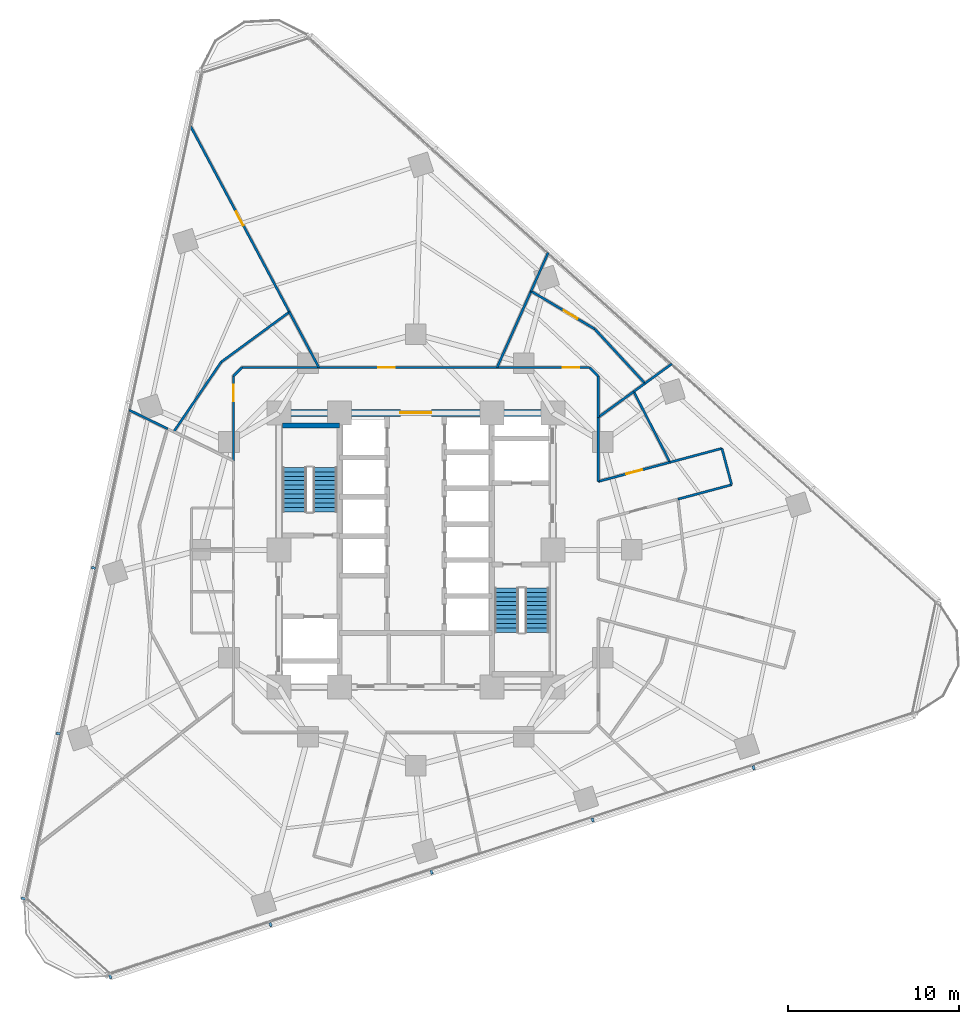
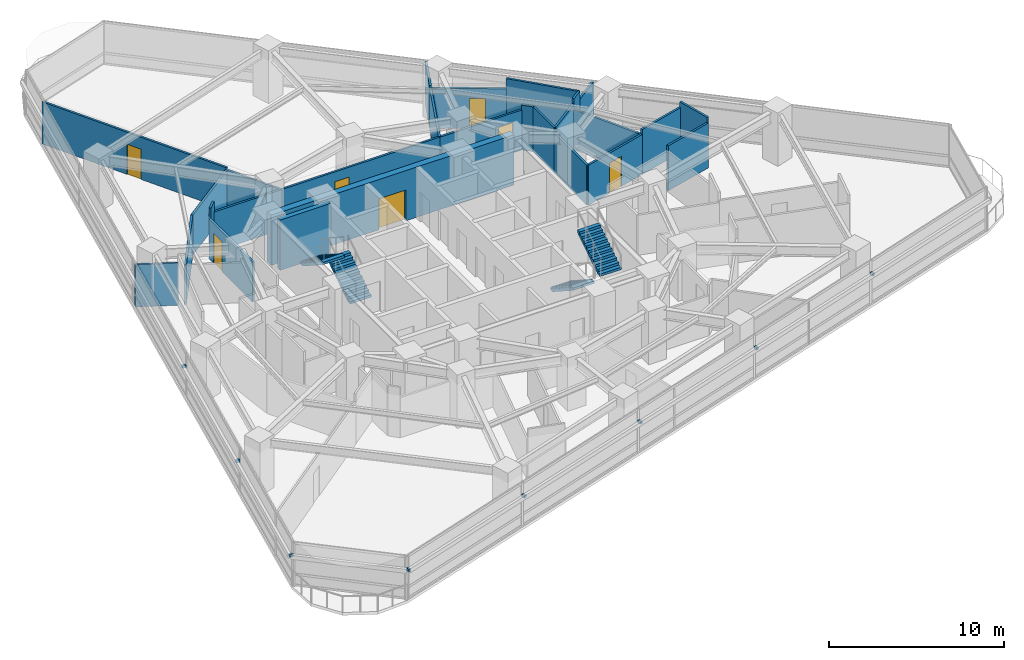
# One storey, part 9 of 13: 27 walls, 8 discrete accessories, 7 doors, 4 stair flights, 7 openings, 2 elements without a shape of their own.
"""IFC4 building model written with IfcOpenShell, lengths in metres."""

from ifc_helpers import new_model, si_unit, direction, frame, frame_2d, origin, origin_2d, place, context, subcontext, project, spatial, polyline, rectangle, outline, extrude, material, layer, layer_set, type_object, element, fill, aggregate, save


model = new_model("IFC4")

# Units and contexts
model_context = context("Model", 3, precision=1e-05, world=origin(), true_north=direction((0.0, 1.0)))
body_context = subcontext(model_context, "Body", "Model", "MODEL_VIEW")
ifc_project = project(units=[si_unit("LENGTHUNIT", "METRE"), si_unit("AREAUNIT", "SQUARE_METRE"), si_unit("VOLUMEUNIT", "CUBIC_METRE"), si_unit("PLANEANGLEUNIT", "RADIAN"), si_unit("MASSUNIT", "GRAM", prefix="KILO")], contexts=[model_context])

# Site, building, storey
site_placement = place(None, origin())
site = spatial("IfcSite", under=ifc_project, at=site_placement, CompositionType="ELEMENT")
building_placement = place(site_placement, origin())
building = spatial("IfcBuilding", under=site, at=building_placement, Name="Terralouvre Media Tower", CompositionType="ELEMENT")
storey_placement = place(building_placement, frame((0.0, 0.0, 105.10009765625)))
storey = spatial("IfcBuildingStorey", under=building, at=storey_placement, Name="L26", CompositionType="ELEMENT", Elevation=105.10009765625)

# Wall
ifc_material_1 = material(Name="Concrete C50/60", Category="concrete")
ifc_layer_1 = layer(ifc_material_1, 0.300048828125, Name="Core Internal Shaft Wall CW-300")
ifc_layer_set_1 = layer_set([ifc_layer_1], Name="Concrete C50/60")
wall_type_1 = type_object("IfcWallType", Name="Core Internal Shaft Wall CW-300", PredefinedType="SHEAR", material=ifc_layer_set_1)
wall_1_placement = place(storey_placement, frame((-7.7900390625, 7.260009765625, 0.0), z_axis=(0.0, 0.0, 1.0), x_axis=(1.0, 0.0, 0.0)))
element("IfcWall", 1, at=wall_1_placement, inside=storey, type_object=wall_type_1, Name="L26 Core Shaft Wall ST1F", PredefinedType="SHEAR", context=body_context, shape_type="SweptSolid", body=[
    extrude(rectangle(XDim=3.340087890625, YDim=0.300048828125, at=frame_2d((1.669921875, 0.0))), origin(), (0.0, 0.0, 1.0), 3.5),
])

# Wall, opening, door
ifc_material_2 = material(Name="Concrete C60/75", Category="concrete")
ifc_layer_2 = layer(ifc_material_2, 0.419921875, Name="Core Reinforced Concrete Shear Wall CW-420")
ifc_layer_set_2 = layer_set([ifc_layer_2], Name="Concrete C60/75")
wall_type_2 = type_object("IfcWallType", Name="Core Reinforced Concrete Shear Wall CW-420", PredefinedType="SHEAR", material=ifc_layer_set_2)
wall_2_placement = place(storey_placement, frame((-8.0, 8.0, 0.0), z_axis=(0.0, 0.0, 1.0), x_axis=(1.0, 0.0, 0.0)))
wall_2 = element("IfcWall", 2, at=wall_2_placement, inside=storey, type_object=wall_type_2, Name="L26 N Core Shear Wall", PredefinedType="SHEAR", context=body_context, shape_type="SweptSolid", body=[
    extrude(rectangle(XDim=16.0, YDim=0.419921875, at=frame_2d((8.0, 0.0))), origin(), (0.0, 0.0, 1.0), 3.5),
])
opening_1_placement = place(wall_2_placement, frame((7.10009765625, 0.0, 0.0)))
opening_1 = element("IfcOpeningElement", 3, at=opening_1_placement, cuts=wall_2, Name="Opening FD-03", PredefinedType="OPENING", context=body_context, shape_type="SweptSolid", body=[
    extrude(rectangle(XDim=1.800048828125, YDim=2.14990234375, at=frame_2d((0.89990234375, 1.074951171875))), frame((0.0, 0.219970703125, 0.0), z_axis=(0.0, -1.0, 0.0), x_axis=(1.0, 0.0, 0.0)), (0.0, 0.0, 1.0), 0.43994140625),
])
ifc_material_3 = material(Name="Galvanised steel fire-resisting leaf", Category="steel")
door_type_1 = type_object("IfcDoorType", Name="Corridor Smoke-Control Double Door FD-03", OperationType="DOUBLE_DOOR_SINGLE_SWING", PredefinedType="DOOR", material=ifc_material_3)
door_1_placement = place(opening_1_placement, origin())
door_1 = element("IfcDoor", 4, at=door_1_placement, inside=storey, type_object=door_type_1, Name="L26 Central Lift Lobby Portal Door", OperationType="DOUBLE_DOOR_SINGLE_SWING", OverallHeight=2.14990234375, OverallWidth=1.800048828125, PredefinedType="DOOR", context=body_context, shape_type="SweptSolid", body=[
    extrude(rectangle(XDim=1.800048828125, YDim=2.14990234375, at=frame_2d((0.89990234375, 1.074951171875))), frame((0.0, 0.02490234375, 0.0), z_axis=(0.0, -1.0, 0.0), x_axis=(1.0, 0.0, 0.0)), (0.0, 0.0, 1.0), 0.050048828125),
])
fill(opening_1, door_1)

# Walls
ifc_material_4 = material(Name="Fire-rated gypsum board drywall partition")
ifc_layer_3 = layer(ifc_material_4, 0.135009765625, Name="Newsroom Acoustic Partition PT-135")
ifc_layer_set_3 = layer_set([ifc_layer_3], Name="Fire-rated gypsum board drywall partition")
wall_type_3 = type_object("IfcWallType", Name="Newsroom Acoustic Partition PT-135", PredefinedType="PARTITIONING", material=ifc_layer_set_3)
wall_3_placement = place(storey_placement, frame((15.306884765625, 2.962890625, 0.0), z_axis=(0.0, 0.0, 1.0), x_axis=(0.965966165677, 0.258668449501, 0.0)))
element("IfcWall", 5, at=wall_3_placement, inside=storey, type_object=wall_type_3, Name="L26 Interior Partition 011", PredefinedType="PARTITIONING", context=body_context, shape_type="SweptSolid", body=[
    extrude(rectangle(XDim=3.247802734375, YDim=0.135009765625, at=frame_2d((1.6240234375, 0.0))), origin(), (0.0, 0.0, 1.0), 3.125),
])
wall_4_placement = place(storey_placement, frame((18.444091796875, 3.802978515625, 0.0), z_axis=(0.0, 0.0, 1.0), x_axis=(-0.258691706618, 0.965959937537, 0.0)))
element("IfcWall", 6, at=wall_4_placement, inside=storey, type_object=wall_type_3, Name="L26 Interior Partition 012", PredefinedType="PARTITIONING", context=body_context, shape_type="SweptSolid", body=[
    extrude(rectangle(XDim=2.199951171875, YDim=0.135009765625, at=frame_2d((1.10009765625, 0.0))), origin(), (0.0, 0.0, 1.0), 3.5),
])
wall_5_placement = place(storey_placement, frame((17.875, 5.927978515625, 0.0), z_axis=(0.0, 0.0, 1.0), x_axis=(-0.96597893007, -0.258620777704, 0.0)))
element("IfcWall", 7, at=wall_5_placement, inside=storey, type_object=wall_type_3, Name="L26 Interior Partition 013", PredefinedType="PARTITIONING", context=body_context, shape_type="SweptSolid", body=[
    extrude(rectangle(XDim=3.139892578125, YDim=0.135009765625, at=frame_2d((1.56982421875, 0.0))), origin(), (0.0, 0.0, 1.0), 3.125),
])

# Wall, opening, door
wall_6_placement = place(storey_placement, frame((14.842041015625, 5.115966796875, 0.0), z_axis=(0.0, 0.0, 1.0), x_axis=(-0.965883000332, -0.258978820891, 0.0)))
wall_6 = element("IfcWall", 8, at=wall_6_placement, inside=storey, type_object=wall_type_3, Name="L26 Interior Partition 019", PredefinedType="PARTITIONING", context=body_context, shape_type="SweptSolid", body=[
    extrude(rectangle(XDim=4.34033203125, YDim=0.135009765625, at=frame_2d((2.170166015625, 0.0))), origin(), (0.0, 0.0, 1.0), 2.784912109375),
])
opening_2_placement = place(wall_6_placement, frame((1.695068359375, 0.0, 0.0)))
opening_2 = element("IfcOpeningElement", 9, at=opening_2_placement, cuts=wall_6, Name="Opening ID-02-95X210", PredefinedType="OPENING", context=body_context, shape_type="SweptSolid", body=[
    extrude(rectangle(XDim=0.949951171875, YDim=2.10009765625, at=frame_2d((0.47509765625, 1.050048828125))), frame((0.0, 0.077392578125, 0.0), z_axis=(0.0, -1.0, 0.0), x_axis=(1.0, 0.0, 0.0)), (0.0, 0.0, 1.0), 0.155029296875),
])
ifc_material_5 = material(Name="Engineered hardwood acoustic timber leaf", Category="wood")
door_type_2 = type_object("IfcDoorType", Name="Office and Meeting Room Door ID-02 (950x2100)", OperationType="NOTDEFINED", PredefinedType="DOOR", material=ifc_material_5)
door_2_placement = place(opening_2_placement, origin())
door_2 = element("IfcDoor", 10, at=door_2_placement, inside=storey, type_object=door_type_2, Name="L26 Wellness Club Reception 5 Door", OperationType="SINGLE_SWING_RIGHT", OverallHeight=2.10009765625, OverallWidth=0.949951171875, PredefinedType="DOOR", context=body_context, shape_type="SweptSolid", body=[
    extrude(rectangle(XDim=0.949951171875, YDim=2.10009765625, at=frame_2d((0.47509765625, 1.050048828125))), frame((0.0, 0.02490234375, 0.0), z_axis=(0.0, -1.0, 0.0), x_axis=(1.0, 0.0, 0.0)), (0.0, 0.0, 1.0), 0.050048828125),
])
fill(opening_2, door_2)

# Walls
wall_7_placement = place(storey_placement, frame((10.64990234375, 3.991943359375, 0.0), z_axis=(0.0, 0.0, 1.0), x_axis=(0.0, 1.0, 0.0)))
element("IfcWall", 11, at=wall_7_placement, inside=storey, type_object=wall_type_3, Name="L26 Interior Partition 020", PredefinedType="PARTITIONING", context=body_context, shape_type="SweptSolid", body=[
    extrude(rectangle(XDim=3.74609375, YDim=0.135009765625, at=frame_2d((1.873046875, 0.0))), origin(), (0.0, 0.0, 1.0), 2.784912109375),
])
wall_8_placement = place(storey_placement, frame((10.64990234375, 7.738037109375, 0.0), z_axis=(0.0, 0.0, 1.0), x_axis=(0.0, 1.0, 0.0)))
element("IfcWall", 12, at=wall_8_placement, inside=storey, type_object=wall_type_3, Name="L26 Interior Partition 027", PredefinedType="PARTITIONING", context=body_context, shape_type="SweptSolid", body=[
    extrude(rectangle(XDim=2.411865234375, YDim=0.135009765625, at=frame_2d((1.2060546875, 0.0))), origin(), (0.0, 0.0, 1.0), 3.125),
])
wall_9_placement = place(storey_placement, frame((10.64990234375, 10.14990234375, 0.0), z_axis=(0.0, 0.0, 1.0), x_axis=(-0.707106781187, 0.707106781187, 0.0)))
element("IfcWall", 13, at=wall_9_placement, inside=storey, type_object=wall_type_3, Name="L26 Interior Partition 028", PredefinedType="PARTITIONING", context=body_context, shape_type="SweptSolid", body=[
    extrude(rectangle(XDim=0.70703125, YDim=0.135009765625, at=frame_2d((0.353515625, 0.0))), origin(), (0.0, 0.0, 1.0), 3.125),
])

# Wall, opening, door
wall_10_placement = place(storey_placement, frame((10.14990234375, 10.64990234375, 0.0), z_axis=(0.0, 0.0, 1.0), x_axis=(-1.0, 0.0, 0.0)))
wall_10 = element("IfcWall", 14, at=wall_10_placement, inside=storey, type_object=wall_type_3, Name="L26 Interior Partition 029", PredefinedType="PARTITIONING", context=body_context, shape_type="SweptSolid", body=[
    extrude(rectangle(XDim=5.407958984375, YDim=0.135009765625, at=frame_2d((2.7041015625, 0.0))), origin(), (0.0, 0.0, 1.0), 2.784912109375),
])
opening_3_placement = place(wall_10_placement, frame((0.606689453125, 0.0, 0.0)))
opening_3 = element("IfcOpeningElement", 15, at=opening_3_placement, cuts=wall_10, Name="Opening ID-02-95X210", PredefinedType="OPENING", context=body_context, shape_type="SweptSolid", body=[
    extrude(rectangle(XDim=0.949951171875, YDim=2.10009765625, at=frame_2d((0.47509765625, 1.050048828125))), frame((0.0, 0.077392578125, 0.0), z_axis=(0.0, -1.0, 0.0), x_axis=(1.0, 0.0, 0.0)), (0.0, 0.0, 1.0), 0.155029296875),
])
door_3_placement = place(opening_3_placement, origin())
door_3 = element("IfcDoor", 16, at=door_3_placement, inside=storey, type_object=door_type_2, Name="L26 Staff Wellness Fitness Gym 10 Door", OperationType="SINGLE_SWING_RIGHT", OverallHeight=2.10009765625, OverallWidth=0.949951171875, PredefinedType="DOOR", context=body_context, shape_type="SweptSolid", body=[
    extrude(rectangle(XDim=0.949951171875, YDim=2.10009765625, at=frame_2d((0.47509765625, 1.050048828125))), frame((0.0, 0.02490234375, 0.0), z_axis=(0.0, -1.0, 0.0), x_axis=(1.0, 0.0, 0.0)), (0.0, 0.0, 1.0), 0.050048828125),
])
fill(opening_3, door_3)

wall_11_placement = place(storey_placement, frame((4.741943359375, 10.64990234375, 0.0), z_axis=(0.0, 0.0, 1.0), x_axis=(-1.0, 0.0, 0.0)))
wall_11 = element("IfcWall", 17, at=wall_11_placement, inside=storey, type_object=wall_type_3, Name="L26 Interior Partition 030", PredefinedType="PARTITIONING", context=body_context, shape_type="SweptSolid", body=[
    extrude(rectangle(XDim=10.405029296875, YDim=0.135009765625, at=frame_2d((5.20263671875, 0.0))), origin(), (0.0, 0.0, 1.0), 2.784912109375),
])
opening_4_placement = place(wall_11_placement, frame((5.97607421875, 0.0, 0.0)))
opening_4 = element("IfcOpeningElement", 18, at=opening_4_placement, cuts=wall_11, Name="Opening ID-02-95X210", PredefinedType="OPENING", context=body_context, shape_type="SweptSolid", body=[
    extrude(rectangle(XDim=0.949951171875, YDim=2.10009765625, at=frame_2d((0.47509765625, 1.050048828125))), frame((0.0, 0.077392578125, 0.0), z_axis=(0.0, -1.0, 0.0), x_axis=(1.0, 0.0, 0.0)), (0.0, 0.0, 1.0), 0.155029296875),
])
door_4_placement = place(opening_4_placement, origin())
door_4 = element("IfcDoor", 19, at=door_4_placement, inside=storey, type_object=door_type_2, Name="L26 Mindfulness Recreation Club 11 Door", OperationType="SINGLE_SWING_LEFT", OverallHeight=2.10009765625, OverallWidth=0.949951171875, PredefinedType="DOOR", context=body_context, shape_type="SweptSolid", body=[
    extrude(rectangle(XDim=0.949951171875, YDim=2.10009765625, at=frame_2d((0.47509765625, 1.050048828125))), frame((0.0, 0.02490234375, 0.0), z_axis=(0.0, -1.0, 0.0), x_axis=(1.0, 0.0, 0.0)), (0.0, 0.0, 1.0), 0.050048828125),
])
fill(opening_4, door_4)

# Walls
wall_12_placement = place(storey_placement, frame((-5.6630859375, 10.64990234375, 0.0), z_axis=(0.0, 0.0, 1.0), x_axis=(-1.0, 0.0, 0.0)))
element("IfcWall", 20, at=wall_12_placement, inside=storey, type_object=wall_type_3, Name="L26 Interior Partition 031", PredefinedType="PARTITIONING", context=body_context, shape_type="SweptSolid", body=[
    extrude(rectangle(XDim=4.48681640625, YDim=0.135009765625, at=frame_2d((2.243408203125, 0.0))), origin(), (0.0, 0.0, 1.0), 2.784912109375),
])
wall_13_placement = place(storey_placement, frame((-10.14990234375, 10.64990234375, 0.0), z_axis=(0.0, 0.0, 1.0), x_axis=(-0.707106781187, -0.707106781187, 0.0)))
element("IfcWall", 21, at=wall_13_placement, inside=storey, type_object=wall_type_3, Name="L26 Interior Partition 032", PredefinedType="PARTITIONING", context=body_context, shape_type="SweptSolid", body=[
    extrude(rectangle(XDim=0.70703125, YDim=0.135009765625, at=frame_2d((0.353515625, 0.0))), origin(), (0.0, 0.0, 1.0), 3.5),
])

# Wall, opening, door
wall_14_placement = place(storey_placement, frame((-10.64990234375, 10.14990234375, 0.0), z_axis=(0.0, 0.0, 1.0), x_axis=(0.0, -1.0, 0.0)))
wall_14 = element("IfcWall", 22, at=wall_14_placement, inside=storey, type_object=wall_type_3, Name="L26 Interior Partition 033", PredefinedType="PARTITIONING", context=body_context, shape_type="SweptSolid", body=[
    extrude(rectangle(XDim=4.955810546875, YDim=0.135009765625, at=frame_2d((2.47802734375, 0.0))), origin(), (0.0, 0.0, 1.0), 2.784912109375),
])
opening_5_placement = place(wall_14_placement, frame((0.51611328125, 0.0, 0.0)))
opening_5 = element("IfcOpeningElement", 23, at=opening_5_placement, cuts=wall_14, Name="Opening ID-02-95X210", PredefinedType="OPENING", context=body_context, shape_type="SweptSolid", body=[
    extrude(rectangle(XDim=0.949951171875, YDim=2.10009765625, at=frame_2d((0.47509765625, 1.050048828125))), frame((0.0, 0.077392578125, 0.0), z_axis=(0.0, -1.0, 0.0), x_axis=(1.0, 0.0, 0.0)), (0.0, 0.0, 1.0), 0.155029296875),
])
door_5_placement = place(opening_5_placement, origin())
door_5 = element("IfcDoor", 24, at=door_5_placement, inside=storey, type_object=door_type_2, Name="L26 Terrace View Hospitality Lounge 13 Door", OperationType="SINGLE_SWING_RIGHT", OverallHeight=2.10009765625, OverallWidth=0.949951171875, PredefinedType="DOOR", context=body_context, shape_type="SweptSolid", body=[
    extrude(rectangle(XDim=0.949951171875, YDim=2.10009765625, at=frame_2d((0.47509765625, 1.050048828125))), frame((0.0, 0.02490234375, 0.0), z_axis=(0.0, -1.0, 0.0), x_axis=(1.0, 0.0, 0.0)), (0.0, 0.0, 1.0), 0.050048828125),
])
fill(opening_5, door_5)

# Walls
wall_15_placement = place(storey_placement, frame((12.72607421875, 9.24609375, 0.0), z_axis=(0.0, 0.0, 1.0), x_axis=(0.455967351564, -0.889996502413, 0.0)))
element("IfcWall", 25, at=wall_15_placement, inside=storey, type_object=wall_type_3, Name="L26 Interior Partition 042", PredefinedType="PARTITIONING", context=body_context, shape_type="SweptSolid", body=[
    extrude(rectangle(XDim=4.640625, YDim=0.135009765625, at=frame_2d((2.3203125, 0.0))), origin(), (0.0, 0.0, 1.0), 2.784912109375),
])
wall_16_placement = place(storey_placement, frame((14.947021484375, 10.860107421875, 0.0), z_axis=(0.0, 0.0, 1.0), x_axis=(-0.809090948161, -0.58768345017, 0.0)))
element("IfcWall", 26, at=wall_16_placement, inside=storey, type_object=wall_type_3, Name="L26 Interior Partition 044", PredefinedType="PARTITIONING", context=body_context, shape_type="SweptSolid", body=[
    extrude(rectangle(XDim=1.93310546875, YDim=0.135009765625, at=frame_2d((0.966552734375, 0.0))), origin(), (0.0, 0.0, 1.0), 2.934814453125),
])
wall_17_placement = place(storey_placement, frame((13.383056640625, 9.72412109375, 0.0), z_axis=(0.0, 0.0, 1.0), x_axis=(-0.808606124949, -0.588350350297, 0.0)))
element("IfcWall", 27, at=wall_17_placement, inside=storey, type_object=wall_type_3, Name="L26 Interior Partition 045", PredefinedType="PARTITIONING", context=body_context, shape_type="SweptSolid", body=[
    extrude(rectangle(XDim=0.8125, YDim=0.135009765625, at=frame_2d((0.40625, 0.0))), origin(), (0.0, 0.0, 1.0), 3.5),
])
wall_18_placement = place(storey_placement, frame((12.72607421875, 9.24609375, 0.0), z_axis=(0.0, 0.0, 1.0), x_axis=(-0.80908565166, -0.587690742039, 0.0)))
element("IfcWall", 28, at=wall_18_placement, inside=storey, type_object=wall_type_3, Name="L26 Interior Partition 047", PredefinedType="PARTITIONING", context=body_context, shape_type="SweptSolid", body=[
    extrude(rectangle(XDim=2.566162109375, YDim=0.135009765625, at=frame_2d((1.283203125, 0.0))), origin(), (0.0, 0.0, 1.0), 3.125),
])
wall_19_placement = place(storey_placement, frame((-14.490966796875, 7.068115234375, 0.0), z_axis=(0.0, 0.0, 1.0), x_axis=(-0.898774071038, 0.438412099777, 0.0)))
element("IfcWall", 29, at=wall_19_placement, inside=storey, type_object=wall_type_3, Name="L26 Interior Partition 060", PredefinedType="PARTITIONING", context=body_context, shape_type="SweptSolid", body=[
    extrude(rectangle(XDim=2.502685546875, YDim=0.135009765625, at=frame_2d((1.25146484375, 0.0))), origin(), (0.0, 0.0, 1.0), 2.934814453125),
])

# Wall, opening, door
wall_20_placement = place(storey_placement, frame((6.72900390625, 15.113037109375, 0.0), z_axis=(0.0, 0.0, 1.0), x_axis=(0.859389125663, -0.511322139841, 0.0)))
wall_20 = element("IfcWall", 30, at=wall_20_placement, inside=storey, type_object=wall_type_3, Name="L26 Interior Partition 061", PredefinedType="PARTITIONING", context=body_context, shape_type="SweptSolid", body=[
    extrude(rectangle(XDim=4.326416015625, YDim=0.135009765625, at=frame_2d((2.1630859375, 0.0))), origin(), (0.0, 0.0, 1.0), 2.784912109375),
])
opening_6_placement = place(wall_20_placement, frame((2.222412109375, 0.0, 0.0)))
opening_6 = element("IfcOpeningElement", 31, at=opening_6_placement, cuts=wall_20, Name="Opening ID-03-92X210", PredefinedType="OPENING", context=body_context, shape_type="SweptSolid", body=[
    extrude(rectangle(XDim=0.919921875, YDim=2.10009765625, at=frame_2d((0.4599609375, 1.050048828125))), frame((0.0, 0.077392578125, 0.0), z_axis=(0.0, -1.0, 0.0), x_axis=(1.0, 0.0, 0.0)), (0.0, 0.0, 1.0), 0.155029296875),
])
ifc_material_6 = material(Name="Engineered hardwood acoustic timber leaf", Category="wood")
door_type_3 = type_object("IfcDoorType", Name="Accessible Restroom and Suite Door ID-03 (920x2100)", OperationType="NOTDEFINED", PredefinedType="DOOR", material=ifc_material_6)
door_6_placement = place(opening_6_placement, origin())
door_6 = element("IfcDoor", 32, at=door_6_placement, inside=storey, type_object=door_type_3, Name="L26 Medical Journalism Research Office 9 Door", OperationType="SINGLE_SWING_RIGHT", OverallHeight=2.10009765625, OverallWidth=0.919921875, PredefinedType="DOOR", context=body_context, shape_type="SweptSolid", body=[
    extrude(rectangle(XDim=0.919921875, YDim=2.10009765625, at=frame_2d((0.4599609375, 1.050048828125))), frame((0.0, 0.02490234375, 0.0), z_axis=(0.0, -1.0, 0.0), x_axis=(1.0, 0.0, 0.0)), (0.0, 0.0, 1.0), 0.050048828125),
])
fill(opening_6, door_6)

# Walls
wall_21_placement = place(storey_placement, frame((10.447021484375, 12.90087890625, 0.0), z_axis=(0.0, 0.0, 1.0), x_axis=(0.678734730072, -0.734383527997, 0.0)))
element("IfcWall", 33, at=wall_21_placement, inside=storey, type_object=wall_type_3, Name="L26 Interior Partition 062", PredefinedType="PARTITIONING", context=body_context, shape_type="SweptSolid", body=[
    extrude(rectangle(XDim=4.32568359375, YDim=0.135009765625, at=frame_2d((2.162841796875, 0.0))), origin(), (0.0, 0.0, 1.0), 3.5),
])
wall_22_placement = place(storey_placement, frame((7.72900390625, 17.359130859375, 0.0), z_axis=(0.0, 0.0, 1.0), x_axis=(-0.406728032322, -0.913549291349, 0.0)))
element("IfcWall", 34, at=wall_22_placement, inside=storey, type_object=wall_type_3, Name="L26 Interior Partition 063", PredefinedType="PARTITIONING", context=body_context, shape_type="SweptSolid", body=[
    extrude(rectangle(XDim=2.458740234375, YDim=0.135009765625, at=frame_2d((1.2294921875, 0.0))), origin(), (0.0, 0.0, 1.0), 2.934814453125),
])
wall_23_placement = place(storey_placement, frame((6.72900390625, 15.113037109375, 0.0), z_axis=(0.0, 0.0, 1.0), x_axis=(-0.406727234472, -0.913549646565, 0.0)))
element("IfcWall", 35, at=wall_23_placement, inside=storey, type_object=wall_type_3, Name="L26 Interior Partition 064", PredefinedType="PARTITIONING", context=body_context, shape_type="SweptSolid", body=[
    extrude(rectangle(XDim=4.885498046875, YDim=0.135009765625, at=frame_2d((2.44287109375, 0.0))), origin(), (0.0, 0.0, 1.0), 2.784912109375),
])

# Wall, opening, door
wall_24_placement = place(storey_placement, frame((-13.19921875, 24.82421875, 0.0), z_axis=(0.0, 0.0, 1.0), x_axis=(0.46947528178, -0.882945615425, 0.0)))
wall_24 = element("IfcWall", 36, at=wall_24_placement, inside=storey, type_object=wall_type_3, Name="L26 Interior Partition 065", PredefinedType="PARTITIONING", context=body_context, shape_type="SweptSolid", body=[
    extrude(rectangle(XDim=12.38037109375, YDim=0.135009765625, at=frame_2d((6.190185546875, 0.0))), origin(), (0.0, 0.0, 1.0), 2.934814453125),
])
opening_7_placement = place(wall_24_placement, frame((5.72998046875, 0.0, 0.0)))
opening_7 = element("IfcOpeningElement", 37, at=opening_7_placement, cuts=wall_24, Name="Opening ID-03-92X210", PredefinedType="OPENING", context=body_context, shape_type="SweptSolid", body=[
    extrude(rectangle(XDim=0.919921875, YDim=2.10009765625, at=frame_2d((0.4599609375, 1.050048828125))), frame((0.0, 0.077392578125, 0.0), z_axis=(0.0, -1.0, 0.0), x_axis=(1.0, 0.0, 0.0)), (0.0, 0.0, 1.0), 0.155029296875),
])
door_7_placement = place(opening_7_placement, origin())
door_7 = element("IfcDoor", 38, at=door_7_placement, inside=storey, type_object=door_type_3, Name="L26 Broadcast Club Dining Room 12 Door", OperationType="SINGLE_SWING_LEFT", OverallHeight=2.10009765625, OverallWidth=0.919921875, PredefinedType="DOOR", context=body_context, shape_type="SweptSolid", body=[
    extrude(rectangle(XDim=0.919921875, YDim=2.10009765625, at=frame_2d((0.4599609375, 1.050048828125))), frame((0.0, 0.02490234375, 0.0), z_axis=(0.0, -1.0, 0.0), x_axis=(1.0, 0.0, 0.0)), (0.0, 0.0, 1.0), 0.050048828125),
])
fill(opening_7, door_7)

# Walls
wall_25_placement = place(storey_placement, frame((-7.386962890625, 13.89306640625, 0.0), z_axis=(0.0, 0.0, 1.0), x_axis=(0.469356096826, -0.883008977515, 0.0)))
element("IfcWall", 39, at=wall_25_placement, inside=storey, type_object=wall_type_3, Name="L26 Interior Partition 066", PredefinedType="PARTITIONING", context=body_context, shape_type="SweptSolid", body=[
    extrude(rectangle(XDim=3.6728515625, YDim=0.135009765625, at=frame_2d((1.83642578125, 0.0))), origin(), (0.0, 0.0, 1.0), 2.784912109375),
])
wall_26_placement = place(storey_placement, frame((-14.14208984375, 6.89794921875, 0.0), z_axis=(0.0, 0.0, 1.0), x_axis=(0.562725506953, 0.826643819202, 0.0)))
element("IfcWall", 40, at=wall_26_placement, inside=storey, type_object=wall_type_3, Name="L26 Interior Partition 067", PredefinedType="PARTITIONING", context=body_context, shape_type="SweptSolid", body=[
    extrude(rectangle(XDim=4.933349609375, YDim=0.135009765625, at=frame_2d((2.466796875, 0.0))), origin(), (0.0, 0.0, 1.0), 2.784912109375),
])
wall_27_placement = place(storey_placement, frame((-11.365966796875, 10.97607421875, 0.0), z_axis=(0.0, 0.0, 1.0), x_axis=(0.806496231999, 0.591239230576, 0.0)))
element("IfcWall", 41, at=wall_27_placement, inside=storey, type_object=wall_type_3, Name="L26 Interior Partition 068", PredefinedType="PARTITIONING", context=body_context, shape_type="SweptSolid", body=[
    extrude(rectangle(XDim=4.93359375, YDim=0.135009765625, at=frame_2d((2.466796875, 0.0))), origin(), (0.0, 0.0, 1.0), 2.784912109375),
])

# Stair, stair flights
ifc_material_7 = material(Name="Concrete C45/55", Category="concrete")
stair_type_1 = type_object("IfcStairType", Name="Dogleg Stair Assembly ST-01", PredefinedType="HALF_TURN_STAIR", material=ifc_material_7)
stair_1_placement = place(storey_placement, origin())
stair_1 = element("IfcStair", 42, at=stair_1_placement, inside=storey, type_object=stair_type_1, Name="L26 Core Pressurised Exit Stair ST-01", PredefinedType="HALF_TURN_STAIR")
ifc_material_8 = material(Name="Concrete C45/55", Category="concrete")
stair_flight_type = type_object("IfcStairFlightType", Name="Reinforced Concrete Stair Flight SF-RC1", PredefinedType="STRAIGHT", material=ifc_material_8)
stair_flight_1_placement = place(storey_placement, frame((-5.300048828125, 2.219970703125, 0.0), z_axis=(0.0, 0.0, 1.0), x_axis=(0.0, 1.0, 0.0)))
stair_flight_1 = element("IfcStairFlight", 43, at=stair_flight_1_placement, type_object=stair_flight_type, Name="ST-01 flight 1", NumberOfRisers=11, NumberOfTreads=10, PredefinedType="STRAIGHT", RiserHeight=0.168181818, TreadLength=0.26, context=body_context, shape_type="SweptSolid", body=[
    extrude(outline(polyline([(0.0, 0.0), (0.0, 0.168212890625), (0.260009765625, 0.168212890625), (0.260009765625, 0.33642578125), (0.52001953125, 0.33642578125), (0.52001953125, 0.504638671875), (0.780029296875, 0.504638671875), (0.780029296875, 0.672607421875), (1.0400390625, 0.672607421875), (1.0400390625, 0.8408203125), (1.300048828125, 0.8408203125), (1.300048828125, 1.009033203125), (1.56005859375, 1.009033203125), (1.56005859375, 1.17724609375), (1.820068359375, 1.17724609375), (1.820068359375, 1.345458984375), (2.080078125, 1.345458984375), (2.080078125, 1.513671875), (2.340087890625, 1.513671875), (2.340087890625, 1.681884765625), (2.60009765625, 1.681884765625), (2.60009765625, 1.85009765625), (2.60009765625, 1.503173828125), (0.27587890625, 0.0), (0.0, 0.0)])), frame((0.0, 0.699951171875, 0.0), z_axis=(0.0, -1.0, 0.0), x_axis=(1.0, 0.0, 0.0)), (0.0, 0.0, 1.0), 1.39990234375),
])
stair_flight_2_placement = place(storey_placement, frame((-7.080078125, 4.820068359375, 1.849853515625), z_axis=(0.0, 0.0, 1.0), x_axis=(0.0, -1.0, 0.0)))
stair_flight_2 = element("IfcStairFlight", 44, at=stair_flight_2_placement, type_object=stair_flight_type, Name="ST-01 flight 2", NumberOfRisers=11, NumberOfTreads=10, PredefinedType="STRAIGHT", RiserHeight=0.168181818, TreadLength=0.26, context=body_context, shape_type="SweptSolid", body=[
    extrude(outline(polyline([(0.0, 0.0), (0.0, 0.168212890625), (0.260009765625, 0.168212890625), (0.260009765625, 0.33642578125), (0.52001953125, 0.33642578125), (0.52001953125, 0.504638671875), (0.780029296875, 0.504638671875), (0.780029296875, 0.672607421875), (1.0400390625, 0.672607421875), (1.0400390625, 0.8408203125), (1.300048828125, 0.8408203125), (1.300048828125, 1.009033203125), (1.56005859375, 1.009033203125), (1.56005859375, 1.17724609375), (1.820068359375, 1.17724609375), (1.820068359375, 1.345458984375), (2.080078125, 1.345458984375), (2.080078125, 1.513671875), (2.340087890625, 1.513671875), (2.340087890625, 1.681884765625), (2.60009765625, 1.681884765625), (2.60009765625, 1.85009765625), (2.60009765625, 1.503173828125), (0.27587890625, 0.0), (0.0, 0.0)])), frame((0.0, 0.699951171875, 0.0), z_axis=(0.0, -1.0, 0.0), x_axis=(1.0, 0.0, 0.0)), (0.0, 0.0, 1.0), 1.39990234375),
])
aggregate(stair_1, [stair_flight_1, stair_flight_2])

ifc_material_9 = material(Name="Concrete C45/55", Category="concrete")
stair_type_2 = type_object("IfcStairType", Name="Dogleg Stair Assembly ST-02", PredefinedType="HALF_TURN_STAIR", material=ifc_material_9)
stair_2_placement = place(storey_placement, origin())
stair_2 = element("IfcStair", 45, at=stair_2_placement, inside=storey, type_object=stair_type_2, Name="L26 Core Pressurised Exit Stair ST-02", PredefinedType="HALF_TURN_STAIR")
stair_flight_3_placement = place(storey_placement, frame((5.300048828125, -2.219970703125, 0.0), z_axis=(0.0, 0.0, 1.0), x_axis=(0.0, -1.0, 0.0)))
stair_flight_3 = element("IfcStairFlight", 46, at=stair_flight_3_placement, type_object=stair_flight_type, Name="ST-02 flight 1", NumberOfRisers=11, NumberOfTreads=10, PredefinedType="STRAIGHT", RiserHeight=0.168181818, TreadLength=0.26, context=body_context, shape_type="SweptSolid", body=[
    extrude(outline(polyline([(0.0, 0.0), (0.0, 0.168212890625), (0.260009765625, 0.168212890625), (0.260009765625, 0.33642578125), (0.52001953125, 0.33642578125), (0.52001953125, 0.504638671875), (0.780029296875, 0.504638671875), (0.780029296875, 0.672607421875), (1.0400390625, 0.672607421875), (1.0400390625, 0.8408203125), (1.300048828125, 0.8408203125), (1.300048828125, 1.009033203125), (1.56005859375, 1.009033203125), (1.56005859375, 1.17724609375), (1.820068359375, 1.17724609375), (1.820068359375, 1.345458984375), (2.080078125, 1.345458984375), (2.080078125, 1.513671875), (2.340087890625, 1.513671875), (2.340087890625, 1.681884765625), (2.60009765625, 1.681884765625), (2.60009765625, 1.85009765625), (2.60009765625, 1.503173828125), (0.27587890625, 0.0), (0.0, 0.0)])), frame((0.0, 0.699951171875, 0.0), z_axis=(0.0, -1.0, 0.0), x_axis=(1.0, 0.0, 0.0)), (0.0, 0.0, 1.0), 1.39990234375),
])
stair_flight_4_placement = place(storey_placement, frame((7.080078125, -4.820068359375, 1.849853515625), z_axis=(0.0, 0.0, 1.0), x_axis=(0.0, 1.0, 0.0)))
stair_flight_4 = element("IfcStairFlight", 47, at=stair_flight_4_placement, type_object=stair_flight_type, Name="ST-02 flight 2", NumberOfRisers=11, NumberOfTreads=10, PredefinedType="STRAIGHT", RiserHeight=0.168181818, TreadLength=0.26, context=body_context, shape_type="SweptSolid", body=[
    extrude(outline(polyline([(0.0, 0.0), (0.0, 0.168212890625), (0.260009765625, 0.168212890625), (0.260009765625, 0.33642578125), (0.52001953125, 0.33642578125), (0.52001953125, 0.504638671875), (0.780029296875, 0.504638671875), (0.780029296875, 0.672607421875), (1.0400390625, 0.672607421875), (1.0400390625, 0.8408203125), (1.300048828125, 0.8408203125), (1.300048828125, 1.009033203125), (1.56005859375, 1.009033203125), (1.56005859375, 1.17724609375), (1.820068359375, 1.17724609375), (1.820068359375, 1.345458984375), (2.080078125, 1.345458984375), (2.080078125, 1.513671875), (2.340087890625, 1.513671875), (2.340087890625, 1.681884765625), (2.60009765625, 1.681884765625), (2.60009765625, 1.85009765625), (2.60009765625, 1.503173828125), (0.27587890625, 0.0), (0.0, 0.0)])), frame((0.0, 0.699951171875, 0.0), z_axis=(0.0, -1.0, 0.0), x_axis=(1.0, 0.0, 0.0)), (0.0, 0.0, 1.0), 1.39990234375),
])
aggregate(stair_2, [stair_flight_3, stair_flight_4])

# Discrete accessories
ifc_material_10 = material(Name="Anodised extruded aluminium 6063-T6", Category="aluminium")
discrete_accessory_type = type_object("IfcDiscreteAccessoryType", Name="Mullion Stand-Off Baguette Fixing Bracket BK-01", PredefinedType="BRACKET", material=ifc_material_10)
for number, where, z_axis, x_axis, name in (
    (48, (-17.852783203125, -24.928955078125, 2.07373046875), (0.0, 0.0, 1.0), (0.951056509451, 0.309017015439, 0.0), "CW-L26-F0 Baguette Outrigger Bracket 1.01"),
    (49, (-8.484375, -21.885009765625, 2.07373046875), (0.0, 0.0, 1.0), (0.951056509451, 0.309017015439, 0.0), "CW-L26-F0 Baguette Outrigger Bracket 1.02"),
    (50, (0.919677734375, -18.82958984375, 2.07373046875), (0.0, 0.0, 1.0), (0.951056509451, 0.309017015439, 0.0), "CW-L26-F0 Baguette Outrigger Bracket 1.03"),
    (51, (10.32373046875, -15.77392578125, 2.07373046875), (0.0, 0.0, 1.0), (0.951056509451, 0.309017015439, 0.0), "CW-L26-F0 Baguette Outrigger Bracket 1.04"),
    (52, (19.727783203125, -12.71826171875, 2.07373046875), (0.0, 0.0, 1.0), (0.951056509451, 0.309017015439, 0.0), "CW-L26-F0 Baguette Outrigger Bracket 1.05"),
    (53, (-18.822509765625, -1.0537109375, 2.07373046875), (0.0, 0.0, 1.0), (-0.207911643887, -0.978147610709, 0.0), "CW-L26-F2 Baguette Outrigger Bracket 1.04"),
    (54, (-20.87841796875, -10.7255859375, 2.07373046875), (0.0, 0.0, 1.0), (-0.207911643887, -0.978147610709, 0.0), "CW-L26-F2 Baguette Outrigger Bracket 1.05"),
    (55, (-22.92626953125, -20.36083984375, 2.07373046875), (0.0, 0.0, 1.0), (-0.207911643887, -0.978147610709, 0.0), "CW-L26-F2 Baguette Outrigger Bracket 1.06"),
):
    element("IfcDiscreteAccessory", number, at=place(storey_placement, frame(where, z_axis=z_axis, x_axis=x_axis)), inside=storey, type_object=discrete_accessory_type, Name=name, PredefinedType="BRACKET", context=body_context, shape_type="SweptSolid", body=[
        extrude(rectangle(XDim=0.139892578125, YDim=0.239990234375, at=origin_2d()), origin(), (0.0, 0.0, 1.0), 0.179931640625),
    ])

save(model, "model.ifc")
